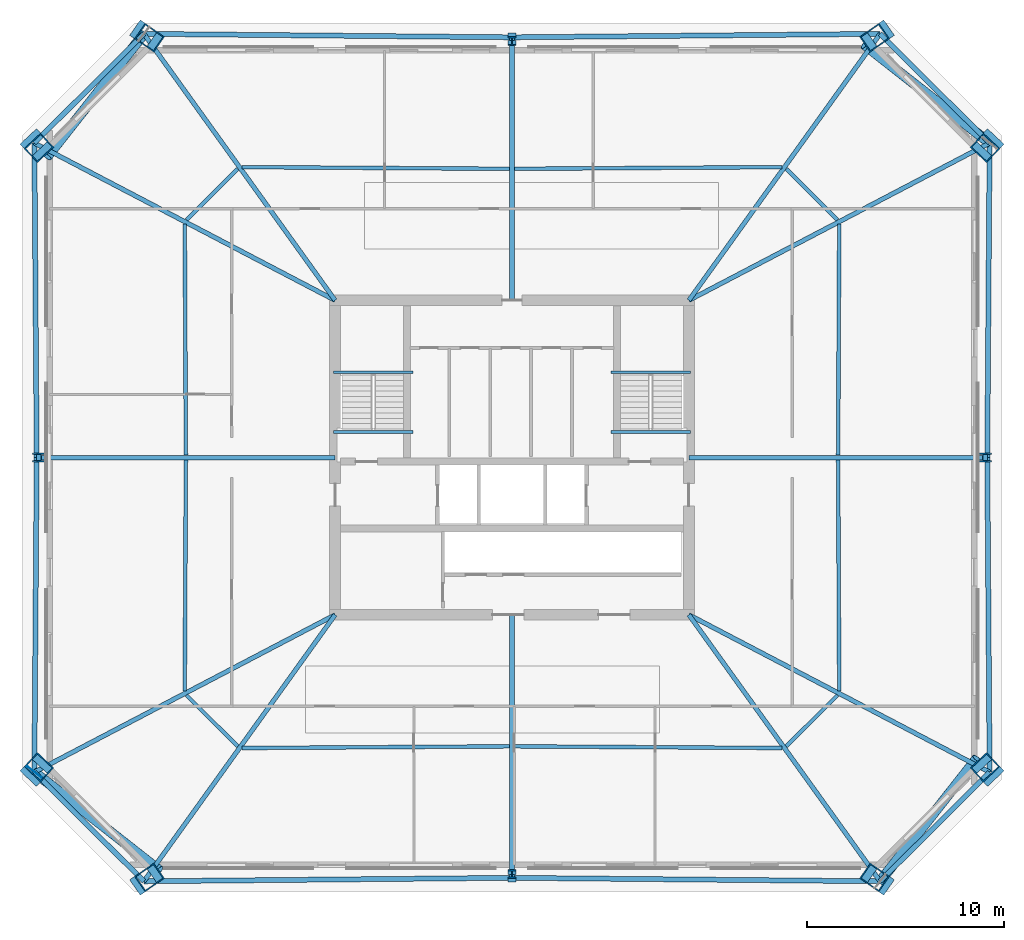
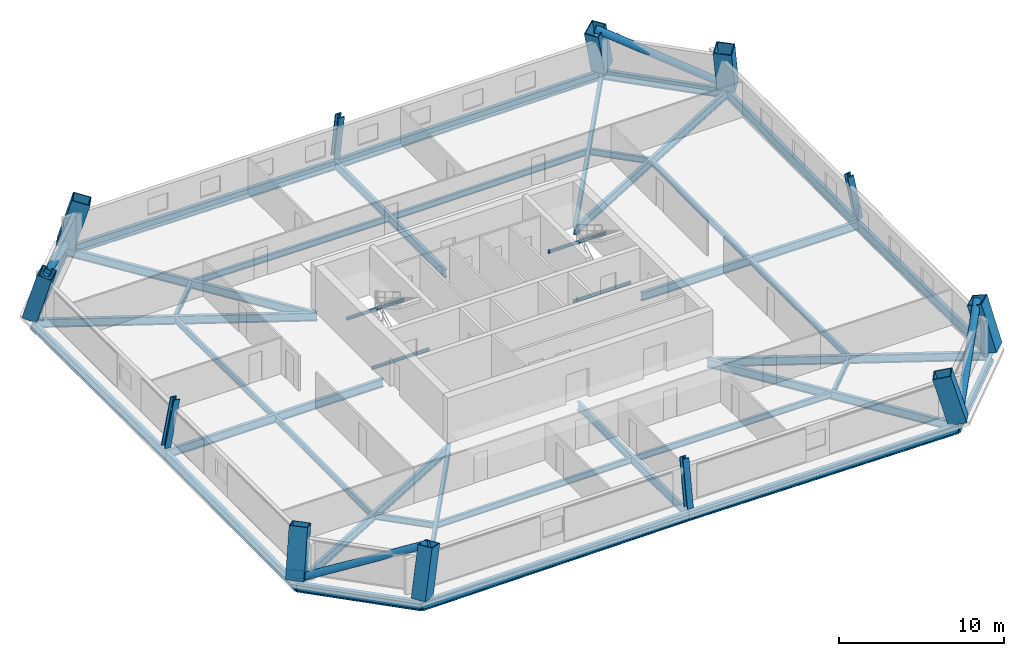
# One storey, part 1 of 7: 40 beams, 12 columns, 4 members, 1 plate.
"""IFC4 building model written with IfcOpenShell, lengths in metres."""

import ifcopenshell
import ifcopenshell.guid

model = None  # the IFC model being written
_history = None  # IfcOwnerHistory: only IFC2X3 demands one
_inside = {}  # id of a spatial element -> (the spatial element, [elements in it])
_under = {}  # id of a project, library or spatial element -> (it, [spatial elements below it])
_declared = {}  # id of a project -> (the project, [libraries it declares])
_typed = {}  # id of a type object -> (the type object, [elements of that type])
_made_of = {}  # id of a material, layer set ... -> (it, [elements and type objects made of it])


def new_model(schema):
    """Start an empty IFC model of exactly this schema.

    Asked for "IFC4X3", IfcOpenShell would pick the latest addendum, in which some entities
    have other attributes; the version numbers below select the first issue.
    IFC2X3 requires an IfcOwnerHistory on every rooted entity: one is made here for all.
    """
    global model, _history
    if schema == "IFC4X3":
        model = ifcopenshell.file(schema_version=(4, 3, 0, 0))
    else:
        model = ifcopenshell.file(schema=schema)
    _inside.clear()
    _under.clear()
    _declared.clear()
    _typed.clear()
    _made_of.clear()
    _history = None
    if model.schema == "IFC2X3":
        org = make("IfcOrganization", Name="unknown")
        user = make(
            "IfcPersonAndOrganization",
            ThePerson=make("IfcPerson", FamilyName="unknown"),
            TheOrganization=org,
        )
        app = make(
            "IfcApplication",
            ApplicationDeveloper=org,
            Version="unknown",
            ApplicationFullName="unknown",
            ApplicationIdentifier="unknown",
        )
        _history = make(
            "IfcOwnerHistory",
            OwningUser=user,
            OwningApplication=app,
            ChangeAction="ADDED",
            CreationDate=0,
        )
    return model


def make(cls, **values):
    """One entity of the class cls with the attributes given. An attribute that is None is left unset."""
    return model.create_entity(
        cls, **{name: value for name, value in values.items() if value is not None}
    )


def rooted(cls, **values):
    """An entity with a GlobalId (a new one), such as an element, a storey or a relation."""
    return make(cls, GlobalId=ifcopenshell.guid.new(), OwnerHistory=_history, **values)


def si_unit(unit_type, name, prefix=None):
    """IfcSIUnit, for example si_unit("LENGTHUNIT", "METRE", prefix="MILLI")."""
    return make("IfcSIUnit", UnitType=unit_type, Prefix=prefix, Name=name)


def assignment(units):
    """IfcUnitAssignment: the units of a project."""
    return None if units is None else make("IfcUnitAssignment", Units=units)


def point(xyz):
    """IfcCartesianPoint."""
    return None if xyz is None else make("IfcCartesianPoint", Coordinates=xyz)


def direction(xyz):
    """IfcDirection."""
    return None if xyz is None else make("IfcDirection", DirectionRatios=xyz)


def frame(location, z_axis=None, x_axis=None):
    """IfcAxis2Placement3D, a coordinate frame: its origin and axes. An axis left out is left unset."""
    return make(
        "IfcAxis2Placement3D",
        Location=point(location),
        Axis=direction(z_axis),
        RefDirection=direction(x_axis),
    )


def frame_2d(location, x_axis=None):
    """IfcAxis2Placement2D, a coordinate frame in the plane: its origin and x axis."""
    return make(
        "IfcAxis2Placement2D", Location=point(location), RefDirection=direction(x_axis)
    )


def origin():
    """The frame at (0, 0, 0) with its axes left unset."""
    return frame((0.0, 0.0, 0.0))


def origin_2d():
    """The frame at (0, 0) in the plane with its x axis left unset."""
    return frame_2d((0.0, 0.0))


def place(relative_to, where):
    """IfcLocalPlacement: puts the frame where relative to a parent placement (None: the world)."""
    return make(
        "IfcLocalPlacement", PlacementRelTo=relative_to, RelativePlacement=where
    )


def context(
    kind, dimensions, precision=None, world=None, true_north=None, identifier=None
):
    """IfcGeometricRepresentationContext, for example the 3D "Model" context."""
    return make(
        "IfcGeometricRepresentationContext",
        ContextIdentifier=identifier,
        ContextType=kind,
        CoordinateSpaceDimension=dimensions,
        Precision=precision,
        WorldCoordinateSystem=world,
        TrueNorth=true_north,
    )


def subcontext(parent, identifier, kind, view, scale=None):
    """IfcGeometricRepresentationSubContext, for example "Body" below "Model"."""
    return make(
        "IfcGeometricRepresentationSubContext",
        ContextIdentifier=identifier,
        ContextType=kind,
        ParentContext=parent,
        TargetScale=scale,
        TargetView=view,
    )


def project(units=None, contexts=None):
    """IfcProject with its units and contexts."""
    return rooted(
        "IfcProject",
        Name="project",
        RepresentationContexts=contexts,
        UnitsInContext=assignment(units),
    )


def spatial(cls, under=None, at=None, **own):
    """A site, building, storey or space (cls), placed at a placement, below another one or the project."""
    s = rooted(cls, ObjectPlacement=at, **own)
    if under is not None:
        _under.setdefault(under.id(), (under, []))[1].append(s)
    return s


def profile(cls, at=None, kind="AREA", **sizes):
    """A parametric profile (cls). Its sizes go by their IFC names, for example OverallWidth=200.0."""
    return make(cls, ProfileType=kind, Position=at, **sizes)


def rectangle(**sizes):
    """IfcRectangleProfileDef."""
    return profile("IfcRectangleProfileDef", **sizes)


def hollow_rectangle(**sizes):
    """IfcRectangleHollowProfileDef."""
    return profile("IfcRectangleHollowProfileDef", **sizes)


def hollow_circle(**sizes):
    """IfcCircleHollowProfileDef."""
    return profile("IfcCircleHollowProfileDef", **sizes)


def i_section(**sizes):
    """IfcIShapeProfileDef."""
    return profile("IfcIShapeProfileDef", **sizes)


def extrude(swept, where, along, depth):
    """IfcExtrudedAreaSolid: the profile swept, set in the frame where, extruded along a direction by depth."""
    return make(
        "IfcExtrudedAreaSolid",
        SweptArea=swept,
        Position=where,
        ExtrudedDirection=direction(along),
        Depth=depth,
    )


def shape(context_of_items, identifier, shape_type, items):
    """IfcShapeRepresentation: the items that make up one representation, for example the "Body"."""
    return make(
        "IfcShapeRepresentation",
        ContextOfItems=context_of_items,
        RepresentationIdentifier=identifier,
        RepresentationType=shape_type,
        Items=items,
    )


def material(Name=None, Category=None):
    """IfcMaterial."""
    return make("IfcMaterial", Name=Name, Category=Category)


def layer(
    of_material, thickness, ventilated=None, Name=None, Category=None, Priority=None
):
    """IfcMaterialLayer: one layer of a wall or slab, of a material (None: an air gap)."""
    return make(
        "IfcMaterialLayer",
        Material=of_material,
        LayerThickness=thickness,
        IsVentilated=ventilated,
        Name=Name,
        Category=Category,
        Priority=Priority,
    )


def layer_set(layers, Name=None):
    """IfcMaterialLayerSet."""
    return make("IfcMaterialLayerSet", MaterialLayers=layers, LayerSetName=Name)


def material_profile(
    of_material, cross_section, Name=None, Category=None, Priority=None
):
    """IfcMaterialProfile: a cross section and its material."""
    return make(
        "IfcMaterialProfile",
        Name=Name,
        Material=of_material,
        Profile=cross_section,
        Priority=Priority,
        Category=Category,
    )


def profile_set(profiles, Name=None, composite=None):
    """IfcMaterialProfileSet."""
    return make(
        "IfcMaterialProfileSet",
        Name=Name,
        MaterialProfiles=profiles,
        CompositeProfile=composite,
    )


def made_of(thing, what):
    """Note that an element or type object is made of a material, layer set ...; save() writes the relation."""
    if what is not None:
        _made_of.setdefault(what.id(), (what, []))[1].append(thing)
    return thing


def type_object(cls, material=None, **own):
    """A type object (cls), such as IfcWallType, which elements share."""
    return made_of(rooted(cls, **own), material)


def element(
    cls,
    number,
    at=None,
    inside=None,
    cuts=None,
    type_object=None,
    material=None,
    context=None,
    identifier="Body",
    shape_type=None,
    held_by="IfcProductDefinitionShape",
    body=None,
    shapes=None,
    **own,
):
    """One element of the class cls, such as IfcWall. Its Tag is "e" and its number.

    at: its placement. inside: the storey or other place that contains it. cuts: it is an
    opening in that element (IfcRelVoidsElement). A single representation is given by context,
    identifier, shape_type and body (its items); several are given by shapes. held_by: the class
    of the entity that holds the representations. save() writes the other relations.
    """
    e = rooted(cls, Tag="e%d" % number, ObjectPlacement=at, **own)
    if body is not None:
        shapes = [shape(context, identifier, shape_type, body)]
    if shapes is not None:
        e.Representation = make(held_by, Representations=shapes)
    if inside is not None:
        _inside.setdefault(inside.id(), (inside, []))[1].append(e)
    if cuts is not None:
        rooted(
            "IfcRelVoidsElement", RelatingBuildingElement=cuts, RelatedOpeningElement=e
        )
    if type_object is not None:
        _typed.setdefault(type_object.id(), (type_object, []))[1].append(e)
    return made_of(e, material)


def aggregate(whole, parts):
    """IfcRelAggregates: a whole, such as a stair, and the parts it consists of."""
    return rooted("IfcRelAggregates", RelatingObject=whole, RelatedObjects=parts)


def save(model, path):
    """Write the relations noted so far, then the file.

    IfcRelAggregates (storeys below a building ...), IfcRelContainedInSpatialStructure (elements
    in a storey), IfcRelDefinesByType, IfcRelAssociatesMaterial and IfcRelDeclares: one each for
    every whole, place, type object, material and project.
    """
    for whole, parts in _under.values():
        aggregate(whole, parts)
    for where, things in _inside.values():
        rooted(
            "IfcRelContainedInSpatialStructure",
            RelatedElements=things,
            RelatingStructure=where,
        )
    for kind, things in _typed.values():
        rooted("IfcRelDefinesByType", RelatedObjects=things, RelatingType=kind)
    for what, things in _made_of.values():
        rooted("IfcRelAssociatesMaterial", RelatedObjects=things, RelatingMaterial=what)
    for by, libraries in _declared.values():
        rooted("IfcRelDeclares", RelatingContext=by, RelatedDefinitions=libraries)
    model.write(path)


model = new_model("IFC4")

# Units and contexts
model_context = context("Model", 3, precision=1e-05, world=origin(), true_north=direction((0.0, 1.0)))
body_context = subcontext(model_context, "Body", "Model", "MODEL_VIEW")
ifc_project = project(units=[si_unit("LENGTHUNIT", "METRE"), si_unit("AREAUNIT", "SQUARE_METRE"), si_unit("VOLUMEUNIT", "CUBIC_METRE"), si_unit("PLANEANGLEUNIT", "RADIAN"), si_unit("MASSUNIT", "GRAM", prefix="KILO")], contexts=[model_context])

# Site, building, storey
site_placement = place(None, origin())
site = spatial("IfcSite", under=ifc_project, at=site_placement, CompositionType="ELEMENT")
building_placement = place(site_placement, origin())
building = spatial("IfcBuilding", under=site, at=building_placement, Name="Caelvoria Tower", CompositionType="ELEMENT")
storey_placement = place(building_placement, frame((0.0, 0.0, 102.39990234375)))
storey = spatial("IfcBuildingStorey", under=building, at=storey_placement, Name="L26", CompositionType="ELEMENT", Elevation=102.39990234375)

# Columns
ifc_material_1 = material(Name="Structural Steel ASTM A572 Gr.50", Category="steel")
ifc_material_profile_1 = material_profile(ifc_material_1, hollow_rectangle(XDim=0.949951171875, YDim=1.14990234375, WallThickness=0.06005859375, at=origin_2d()), Name="Structural Steel ASTM A572 Gr.50")
ifc_profile_set_1 = profile_set([ifc_material_profile_1], Name="BOX1150X950X60 - Structural Steel ASTM A572 Gr.50")
column_type_1 = type_object("IfcColumnType", Name="Mega Box Column 1150x950x60", PredefinedType="COLUMN", material=ifc_profile_set_1)
for number, where, z_axis, x_axis, name in (
    (1, (27.272216796875, 10.443603515625, 0.0), (0.227502922189, 0.158490675606, 0.960792967367), (-0.571617951621, 0.820519906757, 0.0), "Perimeter Megaframe Column L26-P00"),
    (2, (64.727783203125, 10.443603515625, 0.0), (-0.227502922189, 0.158490675606, 0.960792967367), (-0.571617951621, -0.820519906757, 0.0), "Perimeter Megaframe Column L26-P02"),
):
    element("IfcColumn", number, at=place(storey_placement, frame(where, z_axis=z_axis, x_axis=x_axis)), inside=storey, type_object=column_type_1, Name=name, PredefinedType="COLUMN", context=body_context, shape_type="SweptSolid", body=[
        extrude(hollow_rectangle(XDim=0.949951171875, YDim=1.14990234375, WallThickness=0.06005859375, at=origin_2d()), origin(), (0.0, 0.0, 1.0), 3.4951171875),
    ])
for number, where, z_axis, x_axis, name in (
    (3, (70.298583984375, 15.99609375, 0.0), (-0.187073570433, 0.199172160222, 0.961942789275), (0.658567101109, -0.701158543536, 0.273250928932), "Perimeter Megaframe Column L26-P03"),
    (4, (70.298583984375, 48.00390625, 0.0), (-0.187073570433, -0.199172160222, 0.961942789275), (0.658567101109, 0.701158543536, 0.273250928932), "Perimeter Megaframe Column L26-P05"),
):
    element("IfcColumn", number, at=place(storey_placement, frame(where, z_axis=z_axis, x_axis=x_axis)), inside=storey, type_object=column_type_1, Name=name, PredefinedType="COLUMN", context=body_context, shape_type="SweptSolid", body=[
        extrude(hollow_rectangle(XDim=0.949951171875, YDim=1.14990234375, WallThickness=0.06005859375, at=origin_2d()), origin(), (0.0, 0.0, 1.0), 3.490966796875),
    ])
for number, where, z_axis, x_axis, name in (
    (5, (64.727783203125, 53.556396484375, 0.0), (-0.227502922189, -0.158490675606, 0.960792967367), (0.571617951621, -0.820519906757, 0.0), "Perimeter Megaframe Column L26-P06"),
    (6, (27.272216796875, 53.556396484375, 0.0), (0.227502922189, -0.158490675606, 0.960792967367), (0.571617951621, 0.820519906757, 0.0), "Perimeter Megaframe Column L26-P08"),
):
    element("IfcColumn", number, at=place(storey_placement, frame(where, z_axis=z_axis, x_axis=x_axis)), inside=storey, type_object=column_type_1, Name=name, PredefinedType="COLUMN", context=body_context, shape_type="SweptSolid", body=[
        extrude(hollow_rectangle(XDim=0.949951171875, YDim=1.14990234375, WallThickness=0.06005859375, at=origin_2d()), origin(), (0.0, 0.0, 1.0), 3.4951171875),
    ])
for number, where, z_axis, x_axis, name in (
    (7, (21.701416015625, 48.00390625, 0.0), (0.187073570433, -0.199172160222, 0.961942789275), (-0.658567101109, 0.701158543536, 0.273250928932), "Perimeter Megaframe Column L26-P09"),
    (8, (21.701416015625, 15.99609375, 0.0), (0.187073570433, 0.199172160222, 0.961942789275), (-0.658567101109, -0.701158543536, 0.273250928932), "Perimeter Megaframe Column L26-P11"),
):
    element("IfcColumn", number, at=place(storey_placement, frame(where, z_axis=z_axis, x_axis=x_axis)), inside=storey, type_object=column_type_1, Name=name, PredefinedType="COLUMN", context=body_context, shape_type="SweptSolid", body=[
        extrude(hollow_rectangle(XDim=0.949951171875, YDim=1.14990234375, WallThickness=0.06005859375, at=origin_2d()), origin(), (0.0, 0.0, 1.0), 3.490966796875),
    ])
ifc_material_2 = material(Name="Structural Steel ASTM A913 Gr.65", Category="steel")
ifc_material_profile_2 = material_profile(ifc_material_2, i_section(OverallWidth=0.41796875, OverallDepth=0.455078125, WebThickness=0.0419921875, FlangeThickness=0.067626953125, FilletRadius=0.02490234375, at=origin_2d()), Name="Structural Steel ASTM A913 Gr.65")
ifc_profile_set_2 = profile_set([ifc_material_profile_2], Name="W360X551 - Structural Steel ASTM A913 Gr.65")
column_type_2 = type_object("IfcColumnType", Name="Mid Frame Column W360X551", PredefinedType="COLUMN", material=ifc_profile_set_2)
column_1_placement = place(storey_placement, frame((46.0, 10.6201171875, 0.0), z_axis=(0.0, 0.161571146621, 0.986861066503), x_axis=(-1.0, 0.0, 0.0)))
element("IfcColumn", 9, at=column_1_placement, inside=storey, type_object=column_type_2, Name="Perimeter Megaframe Column L26-P01", PredefinedType="COLUMN", context=body_context, shape_type="SweptSolid", body=[
    extrude(i_section(OverallWidth=0.41796875, OverallDepth=0.455078125, WebThickness=0.0419921875, FlangeThickness=0.067626953125, FilletRadius=0.02490234375, at=origin_2d()), origin(), (0.0, 0.0, 1.0), 3.40283203125),
])
column_2_placement = place(storey_placement, frame((70.179931640625, 32.0, 0.0), z_axis=(-0.190004151907, 0.0, 0.981783286809), x_axis=(0.981783286809, 0.0, 0.190004151907)))
element("IfcColumn", 10, at=column_2_placement, inside=storey, type_object=column_type_2, Name="Perimeter Megaframe Column L26-P04", PredefinedType="COLUMN", context=body_context, shape_type="SweptSolid", body=[
    extrude(i_section(OverallWidth=0.41796875, OverallDepth=0.455078125, WebThickness=0.0419921875, FlangeThickness=0.067626953125, FilletRadius=0.02490234375, at=origin_2d()), origin(), (0.0, 0.0, 1.0), 3.42041015625),
])
column_3_placement = place(storey_placement, frame((46.0, 53.3798828125, 0.0), z_axis=(0.0, -0.161571146621, 0.986861066503), x_axis=(1.0, 0.0, 0.0)))
element("IfcColumn", 11, at=column_3_placement, inside=storey, type_object=column_type_2, Name="Perimeter Megaframe Column L26-P07", PredefinedType="COLUMN", context=body_context, shape_type="SweptSolid", body=[
    extrude(i_section(OverallWidth=0.41796875, OverallDepth=0.455078125, WebThickness=0.0419921875, FlangeThickness=0.067626953125, FilletRadius=0.02490234375, at=origin_2d()), origin(), (0.0, 0.0, 1.0), 3.40283203125),
])
column_4_placement = place(storey_placement, frame((21.820068359375, 32.0, 0.0), z_axis=(0.190004151907, 0.0, 0.981783286809), x_axis=(-0.981783286809, 0.0, 0.190004151907)))
element("IfcColumn", 12, at=column_4_placement, inside=storey, type_object=column_type_2, Name="Perimeter Megaframe Column L26-P10", PredefinedType="COLUMN", context=body_context, shape_type="SweptSolid", body=[
    extrude(i_section(OverallWidth=0.41796875, OverallDepth=0.455078125, WebThickness=0.0419921875, FlangeThickness=0.067626953125, FilletRadius=0.02490234375, at=origin_2d()), origin(), (0.0, 0.0, 1.0), 3.42041015625),
])

# Beams
ifc_material_3 = material(Name="Structural Steel ASTM A992 Gr.50", Category="steel")
ifc_material_profile_3 = material_profile(ifc_material_3, i_section(OverallWidth=0.134033203125, OverallDepth=0.2099609375, WebThickness=0.00634765625, FlangeThickness=0.01025390625, FilletRadius=0.010009765625, at=origin_2d()), Name="Structural Steel ASTM A992 Gr.50")
ifc_profile_set_3 = profile_set([ifc_material_profile_3], Name="W200X31.3 - Structural Steel ASTM A992 Gr.50")
beam_type_1 = type_object("IfcBeamType", Name="Canopy Edge Trim Beam W200X31.3", PredefinedType="BEAM", material=ifc_profile_set_3)
for number, where, z_axis, x_axis, name in (
    (13, (36.929931640625, 36.35009765625, 1.4951171875), (1.0, 0.0, 0.0), (0.0, 1.0, 0.0), "ST-01 Half-Landing Support Beam L26"),
    (14, (36.929931640625, 33.300048828125, -0.304931640625), (1.0, 0.0, 0.0), (0.0, 1.0, 0.0), "ST-01 Floor-Landing Support Beam L26"),
    (15, (51.030029296875, 36.35009765625, 1.4951171875), (1.0, 0.0, 0.0), (0.0, 1.0, 0.0), "ST-02 Half-Landing Support Beam L26"),
    (16, (51.030029296875, 33.300048828125, -0.304931640625), (1.0, 0.0, 0.0), (0.0, 1.0, 0.0), "ST-02 Floor-Landing Support Beam L26"),
):
    element("IfcBeam", number, at=place(storey_placement, frame(where, z_axis=z_axis, x_axis=x_axis)), inside=storey, type_object=beam_type_1, Name=name, PredefinedType="BEAM", context=body_context, shape_type="SweptSolid", body=[
        extrude(i_section(OverallWidth=0.134033203125, OverallDepth=0.2099609375, WebThickness=0.00634765625, FlangeThickness=0.01025390625, FilletRadius=0.010009765625, at=origin_2d()), origin(), (0.0, 0.0, 1.0), 4.0400390625),
    ])

# Members
ifc_material_profile_4 = material_profile(ifc_material_1, hollow_circle(Radius=0.25390625, WallThickness=0.02001953125, at=origin_2d()), Name="Structural Steel ASTM A572 Gr.50")
ifc_profile_set_4 = profile_set([ifc_material_profile_4], Name="CHS508X20 - Structural Steel ASTM A572 Gr.50")
member_type = type_object("IfcMemberType", Name="Mid Perimeter Mega Brace CHS508X20", PredefinedType="BRACE", material=ifc_profile_set_4)
member_1_placement = place(storey_placement, frame((64.727783203125, 10.443603515625, 0.0), z_axis=(0.569716425723, 0.723805443613, 0.389267098607), x_axis=(-0.785784234704, 0.618500716645, 0.0)))
element("IfcMember", 17, at=member_1_placement, inside=storey, type_object=member_type, Name="Perimeter Chamfer Mega Brace L26 SE", PredefinedType="BRACE", context=body_context, shape_type="SweptSolid", body=[
    extrude(hollow_circle(Radius=0.25390625, WallThickness=0.02001953125, at=origin_2d()), origin(), (0.0, 0.0, 1.0), 8.6318359375),
])
member_2_placement = place(storey_placement, frame((70.298583984375, 48.00390625, 0.0), z_axis=(-0.726407536213, 0.570372690179, 0.383415030523), x_axis=(-0.617569744516, -0.786516122313, 0.0)))
element("IfcMember", 18, at=member_2_placement, inside=storey, type_object=member_type, Name="Perimeter Chamfer Mega Brace L26 NE", PredefinedType="BRACE", context=body_context, shape_type="SweptSolid", body=[
    extrude(hollow_circle(Radius=0.25390625, WallThickness=0.02001953125, at=origin_2d()), origin(), (0.0, 0.0, 1.0), 8.763671875),
])
member_3_placement = place(storey_placement, frame((27.272216796875, 53.556396484375, 0.0), z_axis=(-0.569716425723, -0.723805443613, 0.389267098607), x_axis=(0.785784234704, -0.618500716645, 0.0)))
element("IfcMember", 19, at=member_3_placement, inside=storey, type_object=member_type, Name="Perimeter Chamfer Mega Brace L26 NW", PredefinedType="BRACE", context=body_context, shape_type="SweptSolid", body=[
    extrude(hollow_circle(Radius=0.25390625, WallThickness=0.02001953125, at=origin_2d()), origin(), (0.0, 0.0, 1.0), 8.6318359375),
])
member_4_placement = place(storey_placement, frame((21.701416015625, 15.99609375, 0.0), z_axis=(0.726407536213, -0.570372690179, 0.383415030523), x_axis=(0.617569744516, 0.786516122313, 0.0)))
element("IfcMember", 20, at=member_4_placement, inside=storey, type_object=member_type, Name="Perimeter Chamfer Mega Brace L26 SW", PredefinedType="BRACE", context=body_context, shape_type="SweptSolid", body=[
    extrude(hollow_circle(Radius=0.25390625, WallThickness=0.02001953125, at=origin_2d()), origin(), (0.0, 0.0, 1.0), 8.763671875),
])

# Beams
ifc_material_profile_5 = material_profile(ifc_material_3, i_section(OverallWidth=0.25390625, OverallDepth=0.68798828125, WebThickness=0.01318359375, FlangeThickness=0.02099609375, FilletRadius=0.01904296875, at=origin_2d()), Name="Structural Steel ASTM A992 Gr.50")
ifc_profile_set_5 = profile_set([ifc_material_profile_5], Name="W690X152 - Structural Steel ASTM A992 Gr.50")
beam_type_2 = type_object("IfcBeamType", Name="Perimeter Spandrel Girder W690X152", PredefinedType="BEAM", material=ifc_profile_set_5)
for number, where, z_axis, x_axis, name in (
    (21, (27.272216796875, 10.443603515625, -0.583984375), (0.999955585475, 0.009424811799, 0.0), (-0.009424811799, 0.999955585475, 0.0), "Perimeter Spandrel Girder L26-00"),
    (22, (46.0, 10.6201171875, -0.583984375), (0.999955585475, -0.009424811799, 0.0), (0.009424811799, 0.999955585475, 0.0), "Perimeter Spandrel Girder L26-01"),
):
    element("IfcBeam", number, at=place(storey_placement, frame(where, z_axis=z_axis, x_axis=x_axis)), inside=storey, type_object=beam_type_2, Name=name, PredefinedType="BEAM", context=body_context, shape_type="SweptSolid", body=[
        extrude(i_section(OverallWidth=0.25390625, OverallDepth=0.68798828125, WebThickness=0.01318359375, FlangeThickness=0.02099609375, FilletRadius=0.01904296875, at=origin_2d()), origin(), (0.0, 0.0, 1.0), 18.728515625),
    ])
beam_1_placement = place(storey_placement, frame((64.727783203125, 10.443603515625, -0.583984375), z_axis=(0.708269821656, 0.705941824609, 0.0), x_axis=(-0.705941824609, 0.708269821656, 0.0)))
element("IfcBeam", 23, at=beam_1_placement, inside=storey, type_object=beam_type_2, Name="Perimeter Spandrel Girder L26-02", PredefinedType="BEAM", context=body_context, shape_type="SweptSolid", body=[
    extrude(i_section(OverallWidth=0.25390625, OverallDepth=0.68798828125, WebThickness=0.01318359375, FlangeThickness=0.02099609375, FilletRadius=0.01904296875, at=origin_2d()), origin(), (0.0, 0.0, 1.0), 7.865478515625),
])
for number, where, z_axis, x_axis, name in (
    (24, (70.298583984375, 15.99609375, -0.583984375), (-0.007413757683, 0.999972517721, 0.0), (-0.999972517721, -0.007413757683, 0.0), "Perimeter Spandrel Girder L26-03"),
    (25, (70.179931640625, 32.0, -0.583984375), (0.007413757683, 0.999972517721, 0.0), (-0.999972517721, 0.007413757683, 0.0), "Perimeter Spandrel Girder L26-04"),
):
    element("IfcBeam", number, at=place(storey_placement, frame(where, z_axis=z_axis, x_axis=x_axis)), inside=storey, type_object=beam_type_2, Name=name, PredefinedType="BEAM", context=body_context, shape_type="SweptSolid", body=[
        extrude(i_section(OverallWidth=0.25390625, OverallDepth=0.68798828125, WebThickness=0.01318359375, FlangeThickness=0.02099609375, FilletRadius=0.01904296875, at=origin_2d()), origin(), (0.0, 0.0, 1.0), 16.00439453125),
    ])
beam_2_placement = place(storey_placement, frame((70.298583984375, 48.00390625, -0.583984375), z_axis=(-0.708269821656, 0.705941824609, 0.0), x_axis=(-0.705941824609, -0.708269821656, 0.0)))
element("IfcBeam", 26, at=beam_2_placement, inside=storey, type_object=beam_type_2, Name="Perimeter Spandrel Girder L26-05", PredefinedType="BEAM", context=body_context, shape_type="SweptSolid", body=[
    extrude(i_section(OverallWidth=0.25390625, OverallDepth=0.68798828125, WebThickness=0.01318359375, FlangeThickness=0.02099609375, FilletRadius=0.01904296875, at=origin_2d()), origin(), (0.0, 0.0, 1.0), 7.865478515625),
])
for number, where, z_axis, x_axis, name in (
    (27, (64.727783203125, 53.556396484375, -0.583984375), (-0.999955585475, -0.009424811799, 0.0), (0.009424811799, -0.999955585475, 0.0), "Perimeter Spandrel Girder L26-06"),
    (28, (46.0, 53.3798828125, -0.583984375), (-0.999955585475, 0.009424811799, 0.0), (-0.009424811799, -0.999955585475, 0.0), "Perimeter Spandrel Girder L26-07"),
):
    element("IfcBeam", number, at=place(storey_placement, frame(where, z_axis=z_axis, x_axis=x_axis)), inside=storey, type_object=beam_type_2, Name=name, PredefinedType="BEAM", context=body_context, shape_type="SweptSolid", body=[
        extrude(i_section(OverallWidth=0.25390625, OverallDepth=0.68798828125, WebThickness=0.01318359375, FlangeThickness=0.02099609375, FilletRadius=0.01904296875, at=origin_2d()), origin(), (0.0, 0.0, 1.0), 18.728515625),
    ])
beam_3_placement = place(storey_placement, frame((27.272216796875, 53.556396484375, -0.583984375), z_axis=(-0.708269821656, -0.705941824609, 0.0), x_axis=(0.705941824609, -0.708269821656, 0.0)))
element("IfcBeam", 29, at=beam_3_placement, inside=storey, type_object=beam_type_2, Name="Perimeter Spandrel Girder L26-08", PredefinedType="BEAM", context=body_context, shape_type="SweptSolid", body=[
    extrude(i_section(OverallWidth=0.25390625, OverallDepth=0.68798828125, WebThickness=0.01318359375, FlangeThickness=0.02099609375, FilletRadius=0.01904296875, at=origin_2d()), origin(), (0.0, 0.0, 1.0), 7.865478515625),
])
for number, where, z_axis, x_axis, name in (
    (30, (21.701416015625, 48.00390625, -0.583984375), (0.007413757683, -0.999972517721, 0.0), (0.999972517721, 0.007413757683, 0.0), "Perimeter Spandrel Girder L26-09"),
    (31, (21.820068359375, 32.0, -0.583984375), (-0.007413757683, -0.999972517721, 0.0), (0.999972517721, -0.007413757683, 0.0), "Perimeter Spandrel Girder L26-10"),
):
    element("IfcBeam", number, at=place(storey_placement, frame(where, z_axis=z_axis, x_axis=x_axis)), inside=storey, type_object=beam_type_2, Name=name, PredefinedType="BEAM", context=body_context, shape_type="SweptSolid", body=[
        extrude(i_section(OverallWidth=0.25390625, OverallDepth=0.68798828125, WebThickness=0.01318359375, FlangeThickness=0.02099609375, FilletRadius=0.01904296875, at=origin_2d()), origin(), (0.0, 0.0, 1.0), 16.00439453125),
    ])
beam_4_placement = place(storey_placement, frame((21.701416015625, 15.99609375, -0.583984375), z_axis=(0.708269821656, -0.705941824609, 0.0), x_axis=(0.705941824609, 0.708269821656, 0.0)))
element("IfcBeam", 32, at=beam_4_placement, inside=storey, type_object=beam_type_2, Name="Perimeter Spandrel Girder L26-11", PredefinedType="BEAM", context=body_context, shape_type="SweptSolid", body=[
    extrude(i_section(OverallWidth=0.25390625, OverallDepth=0.68798828125, WebThickness=0.01318359375, FlangeThickness=0.02099609375, FilletRadius=0.01904296875, at=origin_2d()), origin(), (0.0, 0.0, 1.0), 7.865478515625),
])
ifc_material_profile_6 = material_profile(ifc_material_3, i_section(OverallWidth=0.22900390625, OverallDepth=0.612060546875, WebThickness=0.011962890625, FlangeThickness=0.01953125, FilletRadius=0.01806640625, at=origin_2d()), Name="Structural Steel ASTM A992 Gr.50")
ifc_profile_set_6 = profile_set([ifc_material_profile_6], Name="W610X125 - Structural Steel ASTM A992 Gr.50")
beam_type_3 = type_object("IfcBeamType", Name="Primary Radial Floor Girder W610X125", PredefinedType="BEAM", material=ifc_profile_set_6)
beam_5_placement = place(storey_placement, frame((37.0, 24.0, -0.5458984375), z_axis=(-0.583008463656, -0.812466080096, 0.0), x_axis=(0.812466080096, -0.583008463656, 0.0)))
element("IfcBeam", 33, at=beam_5_placement, inside=storey, type_object=beam_type_3, Name="Primary Floor Girder L26-00", PredefinedType="BEAM", context=body_context, shape_type="SweptSolid", body=[
    extrude(i_section(OverallWidth=0.22900390625, OverallDepth=0.612060546875, WebThickness=0.011962890625, FlangeThickness=0.01953125, FilletRadius=0.01806640625, at=origin_2d()), origin(), (0.0, 0.0, 1.0), 16.685546875),
])
beam_6_placement = place(storey_placement, frame((46.0, 24.0, -0.5458984375), z_axis=(0.0, -1.0, 0.0), x_axis=(1.0, 0.0, 0.0)))
element("IfcBeam", 34, at=beam_6_placement, inside=storey, type_object=beam_type_3, Name="Primary Floor Girder L26-01", PredefinedType="BEAM", context=body_context, shape_type="SweptSolid", body=[
    extrude(i_section(OverallWidth=0.22900390625, OverallDepth=0.612060546875, WebThickness=0.011962890625, FlangeThickness=0.01953125, FilletRadius=0.01806640625, at=origin_2d()), origin(), (0.0, 0.0, 1.0), 13.3798828125),
])
beam_7_placement = place(storey_placement, frame((55.0, 24.0, -0.5458984375), z_axis=(0.583008463656, -0.812466080096, 0.0), x_axis=(0.812466080096, 0.583008463656, 0.0)))
element("IfcBeam", 35, at=beam_7_placement, inside=storey, type_object=beam_type_3, Name="Primary Floor Girder L26-02", PredefinedType="BEAM", context=body_context, shape_type="SweptSolid", body=[
    extrude(i_section(OverallWidth=0.22900390625, OverallDepth=0.612060546875, WebThickness=0.011962890625, FlangeThickness=0.01953125, FilletRadius=0.01806640625, at=origin_2d()), origin(), (0.0, 0.0, 1.0), 16.685546875),
])
beam_8_placement = place(storey_placement, frame((55.0, 24.0, -0.5458984375), z_axis=(0.886060863891, -0.46356892204, 0.0), x_axis=(0.46356892204, 0.886060863891, 0.0)))
element("IfcBeam", 36, at=beam_8_placement, inside=storey, type_object=beam_type_3, Name="Primary Floor Girder L26-03", PredefinedType="BEAM", context=body_context, shape_type="SweptSolid", body=[
    extrude(i_section(OverallWidth=0.22900390625, OverallDepth=0.612060546875, WebThickness=0.011962890625, FlangeThickness=0.01953125, FilletRadius=0.01806640625, at=origin_2d()), origin(), (0.0, 0.0, 1.0), 17.265869140625),
])
beam_9_placement = place(storey_placement, frame((55.0, 32.0, -0.5458984375), z_axis=(1.0, 0.0, 0.0), x_axis=(0.0, 1.0, 0.0)))
element("IfcBeam", 37, at=beam_9_placement, inside=storey, type_object=beam_type_3, Name="Primary Floor Girder L26-04", PredefinedType="BEAM", context=body_context, shape_type="SweptSolid", body=[
    extrude(i_section(OverallWidth=0.22900390625, OverallDepth=0.612060546875, WebThickness=0.011962890625, FlangeThickness=0.01953125, FilletRadius=0.01806640625, at=origin_2d()), origin(), (0.0, 0.0, 1.0), 15.179931640625),
])
beam_10_placement = place(storey_placement, frame((55.0, 40.0, -0.5458984375), z_axis=(0.886060863891, 0.46356892204, 0.0), x_axis=(-0.46356892204, 0.886060863891, 0.0)))
element("IfcBeam", 38, at=beam_10_placement, inside=storey, type_object=beam_type_3, Name="Primary Floor Girder L26-05", PredefinedType="BEAM", context=body_context, shape_type="SweptSolid", body=[
    extrude(i_section(OverallWidth=0.22900390625, OverallDepth=0.612060546875, WebThickness=0.011962890625, FlangeThickness=0.01953125, FilletRadius=0.01806640625, at=origin_2d()), origin(), (0.0, 0.0, 1.0), 17.265869140625),
])
beam_11_placement = place(storey_placement, frame((55.0, 40.0, -0.5458984375), z_axis=(0.583008463656, 0.812466080096, 0.0), x_axis=(-0.812466080096, 0.583008463656, 0.0)))
element("IfcBeam", 39, at=beam_11_placement, inside=storey, type_object=beam_type_3, Name="Primary Floor Girder L26-06", PredefinedType="BEAM", context=body_context, shape_type="SweptSolid", body=[
    extrude(i_section(OverallWidth=0.22900390625, OverallDepth=0.612060546875, WebThickness=0.011962890625, FlangeThickness=0.01953125, FilletRadius=0.01806640625, at=origin_2d()), origin(), (0.0, 0.0, 1.0), 16.685546875),
])
beam_12_placement = place(storey_placement, frame((46.0, 40.0, -0.5458984375), z_axis=(0.0, 1.0, 0.0), x_axis=(-1.0, 0.0, 0.0)))
element("IfcBeam", 40, at=beam_12_placement, inside=storey, type_object=beam_type_3, Name="Primary Floor Girder L26-07", PredefinedType="BEAM", context=body_context, shape_type="SweptSolid", body=[
    extrude(i_section(OverallWidth=0.22900390625, OverallDepth=0.612060546875, WebThickness=0.011962890625, FlangeThickness=0.01953125, FilletRadius=0.01806640625, at=origin_2d()), origin(), (0.0, 0.0, 1.0), 13.3798828125),
])
beam_13_placement = place(storey_placement, frame((37.0, 40.0, -0.5458984375), z_axis=(-0.583008463656, 0.812466080096, 0.0), x_axis=(-0.812466080096, -0.583008463656, 0.0)))
element("IfcBeam", 41, at=beam_13_placement, inside=storey, type_object=beam_type_3, Name="Primary Floor Girder L26-08", PredefinedType="BEAM", context=body_context, shape_type="SweptSolid", body=[
    extrude(i_section(OverallWidth=0.22900390625, OverallDepth=0.612060546875, WebThickness=0.011962890625, FlangeThickness=0.01953125, FilletRadius=0.01806640625, at=origin_2d()), origin(), (0.0, 0.0, 1.0), 16.685546875),
])
beam_14_placement = place(storey_placement, frame((37.0, 40.0, -0.5458984375), z_axis=(-0.886060863891, 0.46356892204, 0.0), x_axis=(-0.46356892204, -0.886060863891, 0.0)))
element("IfcBeam", 42, at=beam_14_placement, inside=storey, type_object=beam_type_3, Name="Primary Floor Girder L26-09", PredefinedType="BEAM", context=body_context, shape_type="SweptSolid", body=[
    extrude(i_section(OverallWidth=0.22900390625, OverallDepth=0.612060546875, WebThickness=0.011962890625, FlangeThickness=0.01953125, FilletRadius=0.01806640625, at=origin_2d()), origin(), (0.0, 0.0, 1.0), 17.265869140625),
])
beam_15_placement = place(storey_placement, frame((37.0, 32.0, -0.5458984375), z_axis=(-1.0, 0.0, 0.0), x_axis=(0.0, -1.0, 0.0)))
element("IfcBeam", 43, at=beam_15_placement, inside=storey, type_object=beam_type_3, Name="Primary Floor Girder L26-10", PredefinedType="BEAM", context=body_context, shape_type="SweptSolid", body=[
    extrude(i_section(OverallWidth=0.22900390625, OverallDepth=0.612060546875, WebThickness=0.011962890625, FlangeThickness=0.01953125, FilletRadius=0.01806640625, at=origin_2d()), origin(), (0.0, 0.0, 1.0), 15.179931640625),
])
beam_16_placement = place(storey_placement, frame((37.0, 24.0, -0.5458984375), z_axis=(-0.886060863891, -0.46356892204, 0.0), x_axis=(0.46356892204, -0.886060863891, 0.0)))
element("IfcBeam", 44, at=beam_16_placement, inside=storey, type_object=beam_type_3, Name="Primary Floor Girder L26-11", PredefinedType="BEAM", context=body_context, shape_type="SweptSolid", body=[
    extrude(i_section(OverallWidth=0.22900390625, OverallDepth=0.612060546875, WebThickness=0.011962890625, FlangeThickness=0.01953125, FilletRadius=0.01806640625, at=origin_2d()), origin(), (0.0, 0.0, 1.0), 17.265869140625),
])
ifc_material_profile_7 = material_profile(ifc_material_3, i_section(OverallWidth=0.18994140625, OverallDepth=0.45703125, WebThickness=0.009033203125, FlangeThickness=0.014404296875, FilletRadius=0.014892578125, at=origin_2d()), Name="Structural Steel ASTM A992 Gr.50")
ifc_profile_set_7 = profile_set([ifc_material_profile_7], Name="W460X74 - Structural Steel ASTM A992 Gr.50")
beam_type_4 = type_object("IfcBeamType", Name="Secondary Floor Beam W460X74", PredefinedType="BEAM", material=ifc_profile_set_7)
for number, where, z_axis, x_axis, name in (
    (45, (32.260986328125, 17.22265625, -0.468505859375), (0.999979850181, 0.006348167548, 0.0), (-0.006348167548, 0.999979850181, 0.0), "Secondary Floor Beam L26-00"),
    (46, (46.125, 17.30908203125, -0.468505859375), (0.999979850181, -0.006348167548, 0.0), (0.006348167548, 0.999979850181, 0.0), "Secondary Floor Beam L26-01"),
):
    element("IfcBeam", number, at=place(storey_placement, frame(where, z_axis=z_axis, x_axis=x_axis)), inside=storey, type_object=beam_type_4, Name=name, PredefinedType="BEAM", context=body_context, shape_type="SweptSolid", body=[
        extrude(i_section(OverallWidth=0.18994140625, OverallDepth=0.45703125, WebThickness=0.009033203125, FlangeThickness=0.014404296875, FilletRadius=0.014892578125, at=origin_2d()), origin(), (0.0, 0.0, 1.0), 13.6142578125),
    ])
beam_17_placement = place(storey_placement, frame((59.952392578125, 17.31005859375, -0.468505859375), z_axis=(0.708265943145, 0.705945715888, 0.0), x_axis=(-0.705945715888, 0.708265943145, 0.0)))
element("IfcBeam", 47, at=beam_17_placement, inside=storey, type_object=beam_type_4, Name="Secondary Floor Beam L26-02", PredefinedType="BEAM", context=body_context, shape_type="SweptSolid", body=[
    extrude(i_section(OverallWidth=0.18994140625, OverallDepth=0.45703125, WebThickness=0.009033203125, FlangeThickness=0.014404296875, FilletRadius=0.014892578125, at=origin_2d()), origin(), (0.0, 0.0, 1.0), 3.682861328125),
])
for number, where, z_axis, x_axis, name in (
    (48, (62.648681640625, 20.123046875, -0.468505859375), (-0.00494426398, 0.999987777052, 0.0), (-0.999987777052, -0.00494426398, 0.0), "Secondary Floor Beam L26-03"),
    (49, (62.590576171875, 32.125, -0.468505859375), (0.00494426398, 0.999987777052, 0.0), (-0.999987777052, 0.00494426398, 0.0), "Secondary Floor Beam L26-04"),
):
    element("IfcBeam", number, at=place(storey_placement, frame(where, z_axis=z_axis, x_axis=x_axis)), inside=storey, type_object=beam_type_4, Name=name, PredefinedType="BEAM", context=body_context, shape_type="SweptSolid", body=[
        extrude(i_section(OverallWidth=0.18994140625, OverallDepth=0.45703125, WebThickness=0.009033203125, FlangeThickness=0.014404296875, FilletRadius=0.014892578125, at=origin_2d()), origin(), (0.0, 0.0, 1.0), 11.752197265625),
    ])
beam_18_placement = place(storey_placement, frame((62.560791015625, 44.090087890625, -0.468505859375), z_axis=(-0.708265943145, 0.705945715888, 0.0), x_axis=(-0.705945715888, -0.708265943145, 0.0)))
element("IfcBeam", 50, at=beam_18_placement, inside=storey, type_object=beam_type_4, Name="Secondary Floor Beam L26-05", PredefinedType="BEAM", context=body_context, shape_type="SweptSolid", body=[
    extrude(i_section(OverallWidth=0.18994140625, OverallDepth=0.45703125, WebThickness=0.009033203125, FlangeThickness=0.014404296875, FilletRadius=0.014892578125, at=origin_2d()), origin(), (0.0, 0.0, 1.0), 3.682861328125),
])
for number, where, z_axis, x_axis, name in (
    (51, (59.739013671875, 46.77734375, -0.468505859375), (-0.999979850181, -0.006348167548, 0.0), (0.006348167548, -0.999979850181, 0.0), "Secondary Floor Beam L26-06"),
    (52, (45.875, 46.69091796875, -0.468505859375), (-0.999979850181, 0.006348167548, 0.0), (-0.006348167548, -0.999979850181, 0.0), "Secondary Floor Beam L26-07"),
):
    element("IfcBeam", number, at=place(storey_placement, frame(where, z_axis=z_axis, x_axis=x_axis)), inside=storey, type_object=beam_type_4, Name=name, PredefinedType="BEAM", context=body_context, shape_type="SweptSolid", body=[
        extrude(i_section(OverallWidth=0.18994140625, OverallDepth=0.45703125, WebThickness=0.009033203125, FlangeThickness=0.014404296875, FilletRadius=0.014892578125, at=origin_2d()), origin(), (0.0, 0.0, 1.0), 13.6142578125),
    ])
beam_19_placement = place(storey_placement, frame((32.047607421875, 46.68994140625, -0.468505859375), z_axis=(-0.708265943145, -0.705945715888, 0.0), x_axis=(0.705945715888, -0.708265943145, 0.0)))
element("IfcBeam", 53, at=beam_19_placement, inside=storey, type_object=beam_type_4, Name="Secondary Floor Beam L26-08", PredefinedType="BEAM", context=body_context, shape_type="SweptSolid", body=[
    extrude(i_section(OverallWidth=0.18994140625, OverallDepth=0.45703125, WebThickness=0.009033203125, FlangeThickness=0.014404296875, FilletRadius=0.014892578125, at=origin_2d()), origin(), (0.0, 0.0, 1.0), 3.682861328125),
])
for number, where, z_axis, x_axis, name in (
    (54, (29.351318359375, 43.876953125, -0.468505859375), (0.00494426398, -0.999987777052, 0.0), (0.999987777052, 0.00494426398, 0.0), "Secondary Floor Beam L26-09"),
    (55, (29.409423828125, 31.875, -0.468505859375), (-0.00494426398, -0.999987777052, 0.0), (0.999987777052, -0.00494426398, 0.0), "Secondary Floor Beam L26-10"),
):
    element("IfcBeam", number, at=place(storey_placement, frame(where, z_axis=z_axis, x_axis=x_axis)), inside=storey, type_object=beam_type_4, Name=name, PredefinedType="BEAM", context=body_context, shape_type="SweptSolid", body=[
        extrude(i_section(OverallWidth=0.18994140625, OverallDepth=0.45703125, WebThickness=0.009033203125, FlangeThickness=0.014404296875, FilletRadius=0.014892578125, at=origin_2d()), origin(), (0.0, 0.0, 1.0), 11.752197265625),
    ])
beam_20_placement = place(storey_placement, frame((29.439208984375, 19.909912109375, -0.468505859375), z_axis=(0.708265943145, -0.705945715888, 0.0), x_axis=(0.705945715888, 0.708265943145, 0.0)))
element("IfcBeam", 56, at=beam_20_placement, inside=storey, type_object=beam_type_4, Name="Secondary Floor Beam L26-11", PredefinedType="BEAM", context=body_context, shape_type="SweptSolid", body=[
    extrude(i_section(OverallWidth=0.18994140625, OverallDepth=0.45703125, WebThickness=0.009033203125, FlangeThickness=0.014404296875, FilletRadius=0.014892578125, at=origin_2d()), origin(), (0.0, 0.0, 1.0), 3.682861328125),
])

# Plate
ifc_layer = layer(ifc_material_1, 0.0400390625, Name="Structural Steel ASTM A572 Gr.50")
ifc_layer_set = layer_set([ifc_layer], Name="Megaframe Node Gusset Plate 900x600x40 - Structural Steel ASTM A572 Gr.50")
plate_type = type_object("IfcPlateType", Name="Megaframe Node Gusset Plate 900x600x40", PredefinedType="USERDEFINED", material=ifc_layer_set)
plate_placement = place(storey_placement, frame((21.701416015625, 15.99609375, 0.02001953125), z_axis=(0.0, 0.0, 1.0), x_axis=(0.786535315704, -0.617545299675, 0.0)))
element("IfcPlate", 57, at=plate_placement, inside=storey, type_object=plate_type, Name="Chamfer Mega Brace Gusset L26 SW", ObjectType="GUSSET_PLATE", PredefinedType="USERDEFINED", context=body_context, shape_type="SweptSolid", body=[
    extrude(rectangle(XDim=0.89990234375, YDim=0.0400390625, at=origin_2d()), origin(), (0.0, 0.0, 1.0), 0.60009765625),
])

save(model, "model.ifc")
